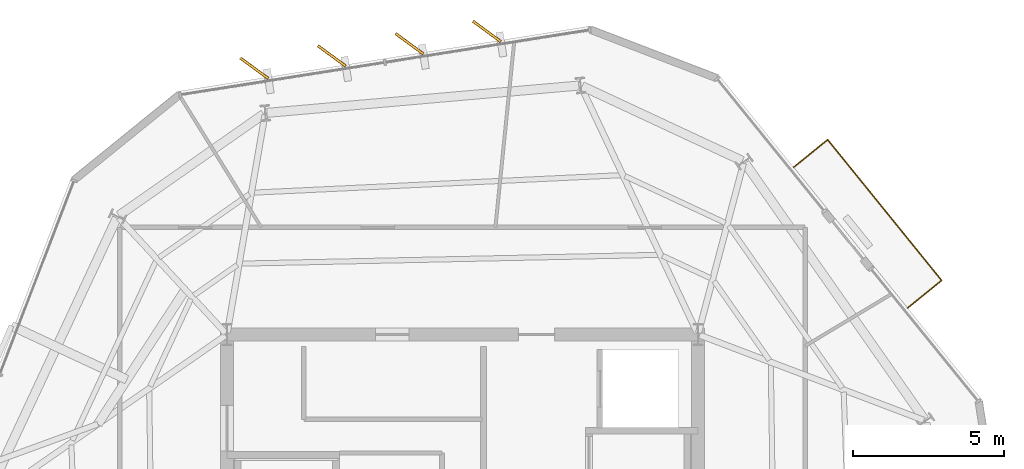
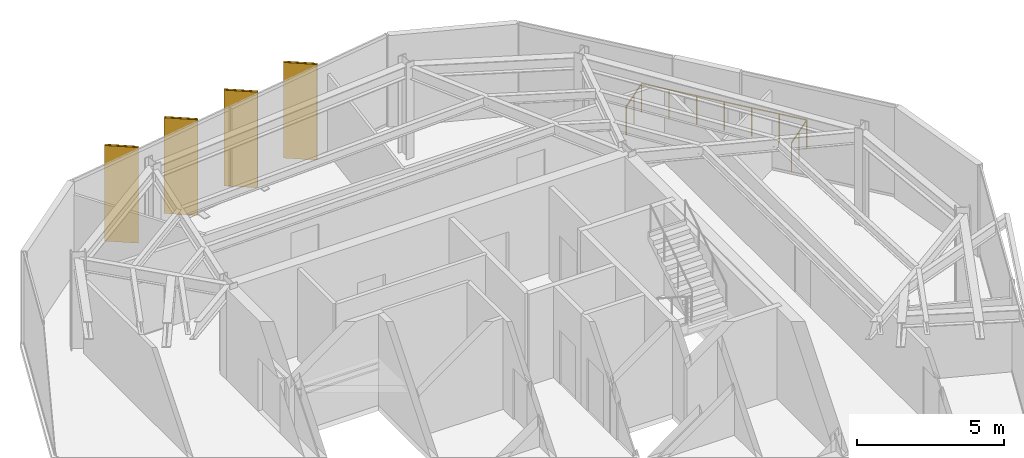
# One storey, part 10 of 10: 4 coverings, 4 shading devices, 1 railing.
"""IFC4 building model written with IfcOpenShell, lengths in metres."""

from ifc_helpers import new_model, si_unit, direction, frame, origin, origin_2d, place, context, subcontext, project, spatial, rectangle, circle, extrude, material, layer, layer_set, type_object, element, save


model = new_model("IFC4")

# Units and contexts
model_context = context("Model", 3, precision=1e-05, world=origin(), true_north=direction((0.0, 1.0)))
body_context = subcontext(model_context, "Body", "Model", "MODEL_VIEW")
ifc_project = project(units=[si_unit("LENGTHUNIT", "METRE"), si_unit("AREAUNIT", "SQUARE_METRE"), si_unit("VOLUMEUNIT", "CUBIC_METRE"), si_unit("PLANEANGLEUNIT", "RADIAN"), si_unit("MASSUNIT", "GRAM", prefix="KILO")], contexts=[model_context])

# Site, building, storey
site_placement = place(None, origin())
site = spatial("IfcSite", under=ifc_project, at=site_placement, CompositionType="ELEMENT")
building_placement = place(site_placement, origin())
building = spatial("IfcBuilding", under=site, at=building_placement, Name="Kranzbogen Civic Tower", CompositionType="ELEMENT")
storey_placement = place(building_placement, frame((0.0, 0.0, 302.199951171875)))
storey = spatial("IfcBuildingStorey", under=building, at=storey_placement, Name="L73", CompositionType="ELEMENT", Elevation=302.199951171875)

# Coverings
ifc_material_1 = material(Name="Pale Anodised Aluminium", Category="aluminium")
ifc_layer = layer(ifc_material_1, 0.02490234375, Name="Pale Anodised Aluminium")
ifc_layer_set = layer_set([ifc_layer], Name="Pale Anodised Aluminium")
covering_type = type_object("IfcCoveringType", Name="Anodised Aluminium Vertical Fin Cladding 25 mm", PredefinedType="CLADDING", material=ifc_layer_set)
for number, where, z_axis, x_axis, name in (
    (1, (25.80908203125, 42.238037109375, -0.139892578125), (0.0, 0.0, 1.0), (-0.806052255522, 0.591844372591, 0.0), "L73 vertical fin pale-metal cladding F1-1"),
    (2, (23.240966796875, 41.83203125, -0.139892578125), (0.0, 0.0, 1.0), (-0.806052255522, 0.591844372591, 0.0), "L73 vertical fin pale-metal cladding F1-2"),
    (3, (20.673095703125, 41.425048828125, -0.139892578125), (0.0, 0.0, 1.0), (-0.806052255522, 0.591844372591, 0.0), "L73 vertical fin pale-metal cladding F1-3"),
    (4, (18.10498046875, 41.01806640625, -0.139892578125), (0.0, 0.0, 1.0), (-0.806052255522, 0.591844372591, 0.0), "L73 vertical fin pale-metal cladding F1-4"),
):
    element("IfcCovering", number, at=place(storey_placement, frame(where, z_axis=z_axis, x_axis=x_axis)), inside=storey, type_object=covering_type, Name=name, PredefinedType="CLADDING", context=body_context, shape_type="SweptSolid", body=[
        extrude(rectangle(XDim=1.14990234375, YDim=0.094970703125, at=origin_2d()), origin(), (0.0, 0.0, 1.0), 3.9599609375),
    ])

# Railing
ifc_material_2 = material(Name="Anodised Bronze Aluminium", Category="aluminium")
railing_type = type_object("IfcRailingType", Name="Cantilevered Balcony Glass and Bronze Balustrade 1200", PredefinedType="BALUSTRADE", material=ifc_material_2)
railing_placement = place(storey_placement, frame((39.742919921875, 33.077880859375, 0.0)))
element("IfcRailing", 5, at=railing_placement, inside=storey, type_object=railing_type, Name="L73 exterior terrace balustrade L73-TB1", PredefinedType="BALUSTRADE", context=body_context, shape_type="SweptSolid", body=[
    extrude(circle(Radius=0.02392578125, at=origin_2d()), frame((0.0, 0.0, 1.17578125), z_axis=(0.777044945429, 0.629445114989, 0.0), x_axis=(-0.629445114989, 0.777044945429, 0.0)), (0.0, 0.0, 1.0), 1.45068359375),
    extrude(circle(Radius=0.02392578125, at=origin_2d()), frame((1.127197265625, 0.9130859375, 1.17578125), z_axis=(-0.629323461939, 0.77714347469, 0.0), x_axis=(-0.77714347469, -0.629323461939, 0.0)), (0.0, 0.0, 1.0), 6.000244140625),
    extrude(circle(Radius=0.02392578125, at=origin_2d()), frame((-2.64892578125, 5.576171875, 1.17578125), z_axis=(-0.776978251362, -0.629527439362, 0.0), x_axis=(0.629527439362, -0.776978251362, 0.0)), (0.0, 0.0, 1.0), 1.450439453125),
    extrude(circle(Radius=0.02099609375, at=origin_2d()), origin(), (0.0, 0.0, 1.0), 1.15185546875),
    extrude(circle(Radius=0.02099609375, at=origin_2d()), frame((0.5634765625, 0.45654296875, 0.0)), (0.0, 0.0, 1.0), 1.15185546875),
    extrude(circle(Radius=0.02099609375, at=origin_2d()), frame((1.127197265625, 0.9130859375, 0.0)), (0.0, 0.0, 1.0), 1.15185546875),
    extrude(circle(Radius=0.02099609375, at=origin_2d()), frame((0.497802734375, 1.690185546875, 0.0)), (0.0, 0.0, 1.0), 1.15185546875),
    extrude(circle(Radius=0.02099609375, at=origin_2d()), frame((-0.131591796875, 2.467529296875, 0.0)), (0.0, 0.0, 1.0), 1.15185546875),
    extrude(circle(Radius=0.02099609375, at=origin_2d()), frame((-0.7607421875, 3.24462890625, 0.0)), (0.0, 0.0, 1.0), 1.15185546875),
    extrude(circle(Radius=0.02099609375, at=origin_2d()), frame((-1.39013671875, 4.021728515625, 0.0)), (0.0, 0.0, 1.0), 1.15185546875),
    extrude(circle(Radius=0.02099609375, at=origin_2d()), frame((-2.01953125, 4.799072265625, 0.0)), (0.0, 0.0, 1.0), 1.15185546875),
    extrude(circle(Radius=0.02099609375, at=origin_2d()), frame((-2.64892578125, 5.576171875, 0.0)), (0.0, 0.0, 1.0), 1.15185546875),
    extrude(circle(Radius=0.02099609375, at=origin_2d()), frame((-3.21240234375, 5.11962890625, 0.0)), (0.0, 0.0, 1.0), 1.15185546875),
    extrude(circle(Radius=0.02099609375, at=origin_2d()), frame((-3.77587890625, 4.6630859375, 0.0)), (0.0, 0.0, 1.0), 1.15185546875),
])

# Shading devices
shading_device_type = type_object("IfcShadingDeviceType", Name="Pale Anodised Aluminium Crown Fin 1150x75", PredefinedType="USERDEFINED", material=ifc_material_1)
for number, where, z_axis, x_axis, name in (
    (6, (25.80908203125, 42.238037109375, -0.139892578125), (0.0, 0.0, 1.0), (-0.806052255522, 0.591844372591, 0.0), "L73 vertical exterior shading fin F1-1"),
    (7, (23.240966796875, 41.83203125, -0.139892578125), (0.0, 0.0, 1.0), (-0.806052255522, 0.591844372591, 0.0), "L73 vertical exterior shading fin F1-2"),
    (8, (20.673095703125, 41.425048828125, -0.139892578125), (0.0, 0.0, 1.0), (-0.806052255522, 0.591844372591, 0.0), "L73 vertical exterior shading fin F1-3"),
    (9, (18.10498046875, 41.01806640625, -0.139892578125), (0.0, 0.0, 1.0), (-0.806052255522, 0.591844372591, 0.0), "L73 vertical exterior shading fin F1-4"),
):
    element("IfcShadingDevice", number, at=place(storey_placement, frame(where, z_axis=z_axis, x_axis=x_axis)), inside=storey, type_object=shading_device_type, Name=name, ObjectType="FIN", PredefinedType="USERDEFINED", context=body_context, shape_type="SweptSolid", body=[
        extrude(rectangle(XDim=1.14990234375, YDim=0.074951171875, at=origin_2d()), origin(), (0.0, 0.0, 1.0), 3.9599609375),
    ])

save(model, "model.ifc")
